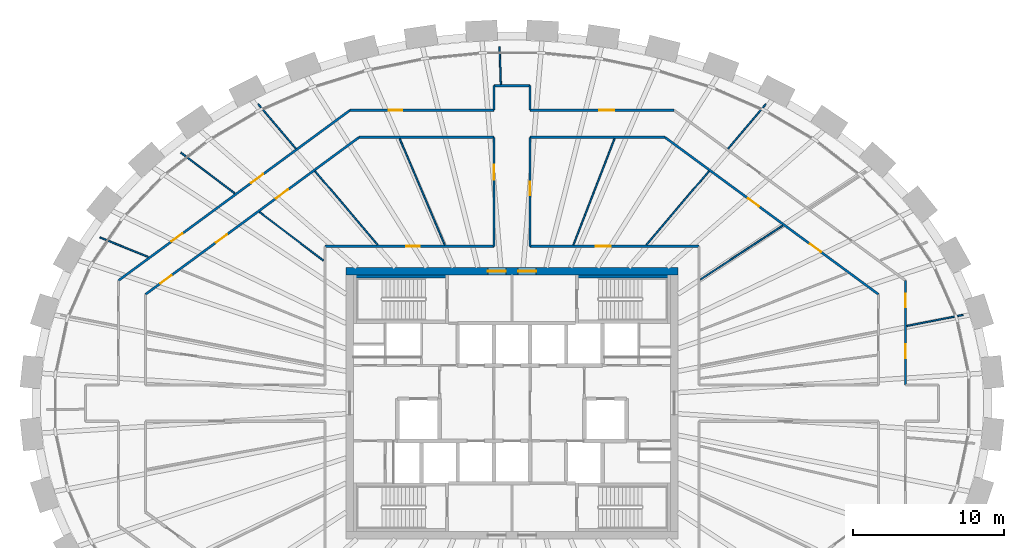
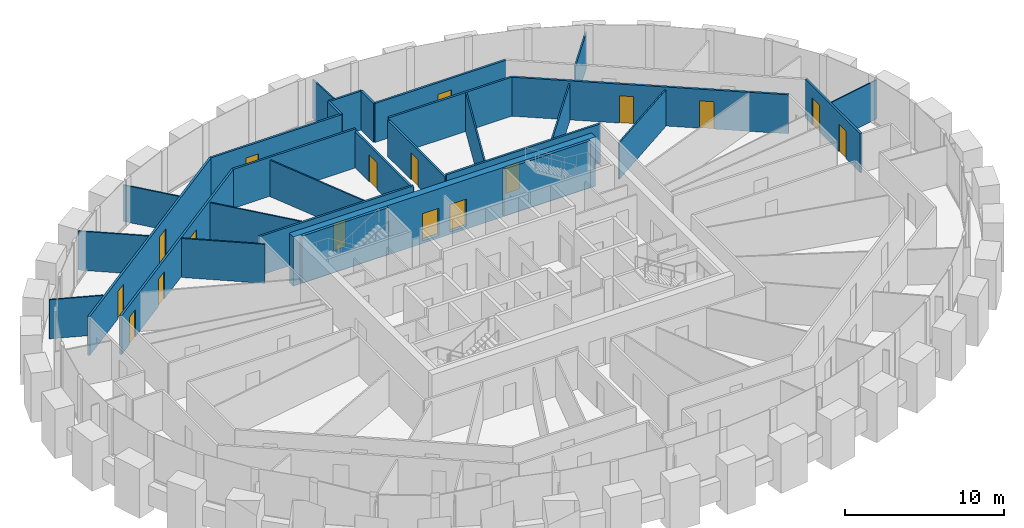
# One storey, part 10 of 12: 30 walls, 17 doors, 17 openings.
"""IFC4 building model written with IfcOpenShell, lengths in metres."""

from ifc_helpers import new_model, si_unit, direction, frame, frame_2d, origin, place, context, subcontext, project, spatial, rectangle, extrude, source, transform, mapped, material, layer, layer_set, type_object, element, fill, save


model = new_model("IFC4")

# Units and contexts
model_context = context("Model", 3, precision=1e-05, world=origin(), true_north=direction((0.0, 1.0)))
body_context = subcontext(model_context, "Body", "Model", "MODEL_VIEW")
ifc_project = project(units=[si_unit("LENGTHUNIT", "METRE"), si_unit("AREAUNIT", "SQUARE_METRE"), si_unit("VOLUMEUNIT", "CUBIC_METRE"), si_unit("PLANEANGLEUNIT", "RADIAN"), si_unit("MASSUNIT", "GRAM", prefix="KILO")], contexts=[model_context])

# Site, building, storey
site_placement = place(None, origin())
site = spatial("IfcSite", under=ifc_project, at=site_placement, CompositionType="ELEMENT")
building_placement = place(site_placement, origin())
building = spatial("IfcBuilding", under=site, at=building_placement, Name="Embergate Tower", CompositionType="ELEMENT")
storey_placement = place(building_placement, frame((0.0, 0.0, 285.10009765625)))
storey = spatial("IfcBuildingStorey", under=building, at=storey_placement, Name="L66", CompositionType="ELEMENT", Elevation=285.10009765625)

# Wall, openings, doors
ifc_material_1 = material(Name="Concrete C50", Category="concrete")
ifc_layer_1 = layer(ifc_material_1, 0.5)
ifc_layer_set_1 = layer_set([ifc_layer_1], Name="Concrete C50")
wall_type_1 = type_object("IfcWallType", Name="Core outer wall C50 500", PredefinedType="SHEAR", material=ifc_layer_set_1)
shared_shape_1 = source(origin(), body_context, "Body", "SweptSolid", [
    extrude(rectangle(XDim=22.0, YDim=0.5, at=frame_2d((11.0, 0.0))), origin(), (0.0, 0.0, 1.0), 3.800048828125),
])
wall_1_placement = place(storey_placement, frame((-11.0, 8.75, -0.2001953125), z_axis=(0.0, 0.0, 1.0), x_axis=(1.0, 0.0, 0.0)))
wall_1 = element("IfcWall", 1, at=wall_1_placement, inside=storey, type_object=wall_type_1, Name="CW-L66-N", PredefinedType="SHEAR", context=body_context, shape_type="MappedRepresentation", body=[
    mapped(shared_shape_1, transform((0.0, 0.0, 0.0))),
])
shared_shape_2 = source(origin(), body_context, "Body", "SweptSolid", [
    extrude(rectangle(XDim=1.199951171875, YDim=2.10009765625, at=frame_2d((0.60009765625, 1.050048828125))), frame((0.0, 0.260009765625, 0.0), z_axis=(0.0, -1.0, 0.0), x_axis=(1.0, 0.0, 0.0)), (0.0, 0.0, 1.0), 0.52001953125),
])
opening_1_placement = place(wall_1_placement, frame((9.39990234375, 0.0, 0.199951171875)))
opening_1 = element("IfcOpeningElement", 2, at=opening_1_placement, cuts=wall_1, Name="Opening IF-1", PredefinedType="OPENING", context=body_context, shape_type="MappedRepresentation", body=[
    mapped(shared_shape_2, transform((0.0, 0.0, 0.0))),
])
opening_2_placement = place(wall_1_placement, frame((11.39990234375, 0.0, 0.199951171875)))
opening_2 = element("IfcOpeningElement", 3, at=opening_2_placement, cuts=wall_1, Name="Opening IF-1", PredefinedType="OPENING", context=body_context, shape_type="MappedRepresentation", body=[
    mapped(shared_shape_2, transform((0.0, 0.0, 0.0))),
])
ifc_material_2 = material(Name="Escape fire door 1200")
door_type_1 = type_object("IfcDoorType", Name="Escape fire door 1200", OperationType="SINGLE_SWING_LEFT", PredefinedType="DOOR", material=ifc_material_2)
shared_shape_3 = source(origin(), body_context, "Body", "SweptSolid", [
    extrude(rectangle(XDim=1.199951171875, YDim=2.10009765625, at=frame_2d((0.60009765625, 1.050048828125))), frame((0.0, 0.02490234375, 0.0), z_axis=(0.0, -1.0, 0.0), x_axis=(1.0, 0.0, 0.0)), (0.0, 0.0, 1.0), 0.050048828125),
])
door_1_placement = place(opening_1_placement, origin())
door_1 = element("IfcDoor", 4, at=door_1_placement, inside=storey, type_object=door_type_1, Name="IF-1 door", OperationType="SINGLE_SWING_LEFT", OverallHeight=2.10009765625, OverallWidth=1.199951171875, PredefinedType="DOOR", context=body_context, shape_type="MappedRepresentation", body=[
    mapped(shared_shape_3, transform((0.0, 0.0, 0.0))),
])
fill(opening_1, door_1)
door_2_placement = place(opening_2_placement, origin())
door_2 = element("IfcDoor", 5, at=door_2_placement, inside=storey, type_object=door_type_1, Name="IF-1 door", OperationType="SINGLE_SWING_RIGHT", OverallHeight=2.10009765625, OverallWidth=1.199951171875, PredefinedType="DOOR", context=body_context, shape_type="MappedRepresentation", body=[
    mapped(shared_shape_3, transform((0.0, 0.0, 0.0))),
])
fill(opening_2, door_2)

# Wall
ifc_material_3 = material(Name="Corridor wall dry-lined 150")
ifc_layer_2 = layer(ifc_material_3, 0.14990234375)
ifc_layer_set_2 = layer_set([ifc_layer_2], Name="Corridor wall dry-lined 150")
wall_type_2 = type_object("IfcWallType", Name="Corridor wall dry-lined 150", PredefinedType="PARTITIONING", material=ifc_layer_set_2)
shared_shape_4 = source(origin(), body_context, "Body", "SweptSolid", [
    extrude(rectangle(XDim=2.39990234375, YDim=0.14990234375, at=frame_2d((1.199951171875, 0.0))), origin(), (0.0, 0.0, 1.0), 3.0),
])
wall_2_placement = place(storey_placement, frame((1.199951171875, 21.055908203125, 0.0), z_axis=(0.0, 0.0, 1.0), x_axis=(-1.0, 0.0, 0.0)))
element("IfcWall", 6, at=wall_2_placement, inside=storey, type_object=wall_type_2, Name="IP-2 wall", PredefinedType="PARTITIONING", context=body_context, shape_type="MappedRepresentation", body=[
    mapped(shared_shape_4, transform((0.0, 0.0, 0.0))),
])

# Wall, openings, doors
shared_shape_5 = source(origin(), body_context, "Body", "SweptSolid", [
    extrude(rectangle(XDim=19.072265625, YDim=0.14990234375, at=frame_2d((9.5361328125, 0.0))), origin(), (0.0, 0.0, 1.0), 3.0),
])
wall_3_placement = place(storey_placement, frame((-10.73193359375, 19.428955078125, 0.0), z_axis=(0.0, 0.0, 1.0), x_axis=(-0.805618847725, -0.592434192287, 0.0)))
wall_3 = element("IfcWall", 7, at=wall_3_placement, inside=storey, type_object=wall_type_2, Name="IP-2 wall", PredefinedType="PARTITIONING", context=body_context, shape_type="MappedRepresentation", body=[
    mapped(shared_shape_5, transform((0.0, 0.0, 0.0))),
])
shared_shape_6 = source(origin(), body_context, "Body", "SweptSolid", [
    extrude(rectangle(XDim=1.0, YDim=2.10009765625, at=frame_2d((0.5, 1.050048828125))), frame((0.0, 0.0849609375, 0.0), z_axis=(0.0, -1.0, 0.0), x_axis=(1.0, 0.0, 0.0)), (0.0, 0.0, 1.0), 0.169921875),
])
opening_3_placement = place(wall_3_placement, frame((7.153564453125, 0.0, 0.0)))
opening_3 = element("IfcOpeningElement", 8, at=opening_3_placement, cuts=wall_3, Name="Opening ID-2", PredefinedType="OPENING", context=body_context, shape_type="MappedRepresentation", body=[
    mapped(shared_shape_6, transform((0.0, 0.0, 0.0))),
])
shared_shape_7 = source(origin(), body_context, "Body", "SweptSolid", [
    extrude(rectangle(XDim=0.89990234375, YDim=2.10009765625, at=frame_2d((0.449951171875, 1.050048828125))), frame((0.0, 0.0849609375, 0.0), z_axis=(0.0, -1.0, 0.0), x_axis=(1.0, 0.0, 0.0)), (0.0, 0.0, 1.0), 0.169921875),
])
opening_4_placement = place(wall_3_placement, frame((13.7861328125, 0.0, 0.0)))
opening_4 = element("IfcOpeningElement", 9, at=opening_4_placement, cuts=wall_3, Name="Opening IF-1c", PredefinedType="OPENING", context=body_context, shape_type="MappedRepresentation", body=[
    mapped(shared_shape_7, transform((0.0, 0.0, 0.0))),
])
ifc_material_4 = material(Name="Escape fire door 900")
door_type_2 = type_object("IfcDoorType", Name="Escape fire door 900", OperationType="SINGLE_SWING_LEFT", PredefinedType="DOOR", material=ifc_material_4)
shared_shape_8 = source(origin(), body_context, "Body", "SweptSolid", [
    extrude(rectangle(XDim=0.89990234375, YDim=2.10009765625, at=frame_2d((0.449951171875, 1.050048828125))), frame((0.0, 0.02490234375, 0.0), z_axis=(0.0, -1.0, 0.0), x_axis=(1.0, 0.0, 0.0)), (0.0, 0.0, 1.0), 0.050048828125),
])
door_3_placement = place(opening_4_placement, origin())
door_3 = element("IfcDoor", 10, at=door_3_placement, inside=storey, type_object=door_type_2, Name="IF-1 door", OperationType="SINGLE_SWING_LEFT", OverallHeight=2.10009765625, OverallWidth=0.89990234375, PredefinedType="DOOR", context=body_context, shape_type="MappedRepresentation", body=[
    mapped(shared_shape_8, transform((0.0, 0.0, 0.0))),
])
fill(opening_4, door_3)
ifc_material_5 = material(Name="Interior door 1000")
door_type_3 = type_object("IfcDoorType", Name="Interior door 1000", OperationType="SINGLE_SWING_LEFT", PredefinedType="DOOR", material=ifc_material_5)
shared_shape_9 = source(origin(), body_context, "Body", "SweptSolid", [
    extrude(rectangle(XDim=1.0, YDim=2.10009765625, at=frame_2d((0.5, 1.050048828125))), frame((0.0, 0.02490234375, 0.0), z_axis=(0.0, -1.0, 0.0), x_axis=(1.0, 0.0, 0.0)), (0.0, 0.0, 1.0), 0.050048828125),
])
door_4_placement = place(opening_3_placement, origin())
door_4 = element("IfcDoor", 11, at=door_4_placement, inside=storey, type_object=door_type_3, Name="ID-2 door", OperationType="SINGLE_SWING_RIGHT", OverallHeight=2.10009765625, OverallWidth=1.0, PredefinedType="DOOR", context=body_context, shape_type="MappedRepresentation", body=[
    mapped(shared_shape_9, transform((0.0, 0.0, 0.0))),
])
fill(opening_3, door_4)

# Wall, opening, door
shared_shape_10 = source(origin(), body_context, "Body", "SweptSolid", [
    extrude(rectangle(XDim=9.531982421875, YDim=0.14990234375, at=frame_2d((4.76611328125, 0.0))), origin(), (0.0, 0.0, 1.0), 3.0),
])
wall_4_placement = place(storey_placement, frame((10.73193359375, 19.428955078125, 0.0), z_axis=(0.0, 0.0, 1.0), x_axis=(-1.0, 0.0, 0.0)))
wall_4 = element("IfcWall", 12, at=wall_4_placement, inside=storey, type_object=wall_type_2, Name="IP-2 wall", PredefinedType="PARTITIONING", context=body_context, shape_type="MappedRepresentation", body=[
    mapped(shared_shape_10, transform((0.0, 0.0, 0.0))),
])
opening_5_placement = place(wall_4_placement, frame((3.94921875, 0.0, 0.0)))
opening_5 = element("IfcOpeningElement", 13, at=opening_5_placement, cuts=wall_4, Name="Opening ID-2", PredefinedType="OPENING", context=body_context, shape_type="MappedRepresentation", body=[
    mapped(shared_shape_6, transform((0.0, 0.0, 0.0))),
])
door_5_placement = place(opening_5_placement, origin())
door_5 = element("IfcDoor", 14, at=door_5_placement, inside=storey, type_object=door_type_3, Name="ID-2 door", OperationType="SINGLE_SWING_LEFT", OverallHeight=2.10009765625, OverallWidth=1.0, PredefinedType="DOOR", context=body_context, shape_type="MappedRepresentation", body=[
    mapped(shared_shape_9, transform((0.0, 0.0, 0.0))),
])
fill(opening_5, door_5)

wall_5_placement = place(storey_placement, frame((-1.199951171875, 19.428955078125, 0.0), z_axis=(0.0, 0.0, 1.0), x_axis=(-1.0, 0.0, 0.0)))
wall_5 = element("IfcWall", 15, at=wall_5_placement, inside=storey, type_object=wall_type_2, Name="IP-2 wall", PredefinedType="PARTITIONING", context=body_context, shape_type="MappedRepresentation", body=[
    mapped(shared_shape_10, transform((0.0, 0.0, 0.0))),
])
opening_6_placement = place(wall_5_placement, frame((6.0830078125, 0.0, 0.0)))
opening_6 = element("IfcOpeningElement", 16, at=opening_6_placement, cuts=wall_5, Name="Opening IF-1c", PredefinedType="OPENING", context=body_context, shape_type="MappedRepresentation", body=[
    mapped(shared_shape_7, transform((0.0, 0.0, 0.0))),
])
door_6_placement = place(opening_6_placement, origin())
door_6 = element("IfcDoor", 17, at=door_6_placement, inside=storey, type_object=door_type_2, Name="IF-1 door", OperationType="SINGLE_SWING_LEFT", OverallHeight=2.10009765625, OverallWidth=0.89990234375, PredefinedType="DOOR", context=body_context, shape_type="MappedRepresentation", body=[
    mapped(shared_shape_8, transform((0.0, 0.0, 0.0))),
])
fill(opening_6, door_6)

# Wall, openings, doors
ifc_material_6 = material(Name="Corridor wall dry-lined 150 wet")
ifc_layer_3 = layer(ifc_material_6, 0.14990234375)
ifc_layer_set_3 = layer_set([ifc_layer_3], Name="Corridor wall dry-lined 150 wet")
wall_type_3 = type_object("IfcWallType", Name="Corridor wall dry-lined 150 wet", PredefinedType="PLUMBINGWALL", material=ifc_layer_set_3)
shared_shape_11 = source(origin(), body_context, "Body", "SweptSolid", [
    extrude(rectangle(XDim=17.570068359375, YDim=0.14990234375, at=frame_2d((8.78515625, 0.0))), origin(), (0.0, 0.0, 1.0), 3.0),
])
wall_6_placement = place(storey_placement, frame((10.14208984375, 17.62890625, 0.0), z_axis=(0.0, 0.0, 1.0), x_axis=(0.805628581617, -0.592420955471, 0.0)))
wall_6 = element("IfcWall", 18, at=wall_6_placement, inside=storey, type_object=wall_type_3, Name="IP-2 wall", PredefinedType="PLUMBINGWALL", context=body_context, shape_type="MappedRepresentation", body=[
    mapped(shared_shape_11, transform((0.0, 0.0, 0.0))),
])
opening_7_placement = place(wall_6_placement, frame((11.933349609375, 0.0, 0.0)))
opening_7 = element("IfcOpeningElement", 19, at=opening_7_placement, cuts=wall_6, Name="Opening IF-1c", PredefinedType="OPENING", context=body_context, shape_type="MappedRepresentation", body=[
    mapped(shared_shape_7, transform((0.0, 0.0, 0.0))),
])
opening_8_placement = place(wall_6_placement, frame((6.839111328125, 0.0, 0.0)))
opening_8 = element("IfcOpeningElement", 20, at=opening_8_placement, cuts=wall_6, Name="Opening IF-1c", PredefinedType="OPENING", context=body_context, shape_type="MappedRepresentation", body=[
    mapped(shared_shape_7, transform((0.0, 0.0, 0.0))),
])
door_7_placement = place(opening_7_placement, origin())
door_7 = element("IfcDoor", 21, at=door_7_placement, inside=storey, type_object=door_type_2, Name="IF-1 door", OperationType="SINGLE_SWING_RIGHT", OverallHeight=2.10009765625, OverallWidth=0.89990234375, PredefinedType="DOOR", context=body_context, shape_type="MappedRepresentation", body=[
    mapped(shared_shape_8, transform((0.0, 0.0, 0.0))),
])
fill(opening_7, door_7)
door_8_placement = place(opening_8_placement, origin())
door_8 = element("IfcDoor", 22, at=door_8_placement, inside=storey, type_object=door_type_2, Name="IF-1 door", OperationType="SINGLE_SWING_LEFT", OverallHeight=2.10009765625, OverallWidth=0.89990234375, PredefinedType="DOOR", context=body_context, shape_type="MappedRepresentation", body=[
    mapped(shared_shape_8, transform((0.0, 0.0, 0.0))),
])
fill(opening_8, door_8)

wall_7_placement = place(storey_placement, frame((-24.297119140625, 7.219970703125, 0.0), z_axis=(0.0, 0.0, 1.0), x_axis=(0.805628581617, 0.592420955471, 0.0)))
wall_7 = element("IfcWall", 23, at=wall_7_placement, inside=storey, type_object=wall_type_2, Name="IP-2 wall", PredefinedType="PARTITIONING", context=body_context, shape_type="MappedRepresentation", body=[
    mapped(shared_shape_11, transform((0.0, 0.0, 0.0))),
])
opening_9_placement = place(wall_7_placement, frame((10.72998046875, 0.0, 0.0)))
opening_9 = element("IfcOpeningElement", 24, at=opening_9_placement, cuts=wall_7, Name="Opening ID-2", PredefinedType="OPENING", context=body_context, shape_type="MappedRepresentation", body=[
    mapped(shared_shape_6, transform((0.0, 0.0, 0.0))),
])
opening_10_placement = place(wall_7_placement, frame((5.787353515625, 0.0, 0.0)))
opening_10 = element("IfcOpeningElement", 25, at=opening_10_placement, cuts=wall_7, Name="Opening IF-1c", PredefinedType="OPENING", context=body_context, shape_type="MappedRepresentation", body=[
    mapped(shared_shape_7, transform((0.0, 0.0, 0.0))),
])
opening_11_placement = place(wall_7_placement, frame((1.226806640625, 0.0, 0.0)))
opening_11 = element("IfcOpeningElement", 26, at=opening_11_placement, cuts=wall_7, Name="Opening IF-1c", PredefinedType="OPENING", context=body_context, shape_type="MappedRepresentation", body=[
    mapped(shared_shape_7, transform((0.0, 0.0, 0.0))),
])
door_9_placement = place(opening_10_placement, origin())
door_9 = element("IfcDoor", 27, at=door_9_placement, inside=storey, type_object=door_type_2, Name="IF-1 door", OperationType="SINGLE_SWING_RIGHT", OverallHeight=2.10009765625, OverallWidth=0.89990234375, PredefinedType="DOOR", context=body_context, shape_type="MappedRepresentation", body=[
    mapped(shared_shape_8, transform((0.0, 0.0, 0.0))),
])
fill(opening_10, door_9)
door_10_placement = place(opening_11_placement, origin())
door_10 = element("IfcDoor", 28, at=door_10_placement, inside=storey, type_object=door_type_2, Name="IF-1 door", OperationType="SINGLE_SWING_RIGHT", OverallHeight=2.10009765625, OverallWidth=0.89990234375, PredefinedType="DOOR", context=body_context, shape_type="MappedRepresentation", body=[
    mapped(shared_shape_8, transform((0.0, 0.0, 0.0))),
])
fill(opening_11, door_10)
door_11_placement = place(opening_9_placement, origin())
door_11 = element("IfcDoor", 29, at=door_11_placement, inside=storey, type_object=door_type_3, Name="ID-2 door", OperationType="SINGLE_SWING_RIGHT", OverallHeight=2.10009765625, OverallWidth=1.0, PredefinedType="DOOR", context=body_context, shape_type="MappedRepresentation", body=[
    mapped(shared_shape_9, transform((0.0, 0.0, 0.0))),
])
fill(opening_9, door_11)

# Wall, opening, door
shared_shape_12 = source(origin(), body_context, "Body", "SweptSolid", [
    extrude(rectangle(XDim=11.199951171875, YDim=0.14990234375, at=frame_2d((5.60009765625, 0.0))), origin(), (0.0, 0.0, 1.0), 3.0),
])
wall_8_placement = place(storey_placement, frame((12.39990234375, 10.39990234375, 0.0), z_axis=(0.0, 0.0, 1.0), x_axis=(-1.0, 0.0, 0.0)))
wall_8 = element("IfcWall", 30, at=wall_8_placement, inside=storey, type_object=wall_type_3, Name="IP-2 wall", PredefinedType="PLUMBINGWALL", context=body_context, shape_type="MappedRepresentation", body=[
    mapped(shared_shape_12, transform((0.0, 0.0, 0.0))),
])
opening_12_placement = place(wall_8_placement, frame((5.85400390625, 0.0, 0.0)))
opening_12 = element("IfcOpeningElement", 31, at=opening_12_placement, cuts=wall_8, Name="Opening ID-2", PredefinedType="OPENING", context=body_context, shape_type="MappedRepresentation", body=[
    mapped(shared_shape_6, transform((0.0, 0.0, 0.0))),
])
door_12_placement = place(opening_12_placement, origin())
door_12 = element("IfcDoor", 32, at=door_12_placement, inside=storey, type_object=door_type_3, Name="ID-2 door", OperationType="SINGLE_SWING_RIGHT", OverallHeight=2.10009765625, OverallWidth=1.0, PredefinedType="DOOR", context=body_context, shape_type="MappedRepresentation", body=[
    mapped(shared_shape_9, transform((0.0, 0.0, 0.0))),
])
fill(opening_12, door_12)

wall_9_placement = place(storey_placement, frame((-12.39990234375, 10.39990234375, 0.0), z_axis=(0.0, 0.0, 1.0), x_axis=(1.0, 0.0, 0.0)))
wall_9 = element("IfcWall", 33, at=wall_9_placement, inside=storey, type_object=wall_type_2, Name="IP-2 wall", PredefinedType="PARTITIONING", context=body_context, shape_type="MappedRepresentation", body=[
    mapped(shared_shape_12, transform((0.0, 0.0, 0.0))),
])
opening_13_placement = place(wall_9_placement, frame((5.386962890625, 0.0, 0.0)))
opening_13 = element("IfcOpeningElement", 34, at=opening_13_placement, cuts=wall_9, Name="Opening IF-1c", PredefinedType="OPENING", context=body_context, shape_type="MappedRepresentation", body=[
    mapped(shared_shape_7, transform((0.0, 0.0, 0.0))),
])
door_13_placement = place(opening_13_placement, origin())
door_13 = element("IfcDoor", 35, at=door_13_placement, inside=storey, type_object=door_type_2, Name="IF-1 door", OperationType="SINGLE_SWING_RIGHT", OverallHeight=2.10009765625, OverallWidth=0.89990234375, PredefinedType="DOOR", context=body_context, shape_type="MappedRepresentation", body=[
    mapped(shared_shape_8, transform((0.0, 0.0, 0.0))),
])
fill(opening_13, door_13)

# Walls
shared_shape_13 = source(origin(), body_context, "Body", "SweptSolid", [
    extrude(rectangle(XDim=8.942138671875, YDim=0.14990234375, at=frame_2d((4.47119140625, 0.0))), origin(), (0.0, 0.0, 1.0), 3.0),
])
for number, where, z_axis, x_axis, name in (
    (36, (-1.199951171875, 17.62890625, 0.0), (0.0, 0.0, 1.0), (-1.0, 0.0, 0.0), "IP-2 wall"),
    (37, (1.199951171875, 17.62890625, 0.0), (0.0, 0.0, 1.0), (1.0, 0.0, 0.0), "IP-2 wall"),
):
    element("IfcWall", number, at=place(storey_placement, frame(where, z_axis=z_axis, x_axis=x_axis)), inside=storey, type_object=wall_type_2, Name=name, PredefinedType="PARTITIONING", context=body_context, shape_type="MappedRepresentation", body=[
        mapped(shared_shape_13, transform((0.0, 0.0, 0.0))),
    ])
shared_shape_14 = source(origin(), body_context, "Body", "SweptSolid", [
    extrude(rectangle(XDim=1.626953125, YDim=0.14990234375, at=frame_2d((0.8134765625, 0.0))), origin(), (0.0, 0.0, 1.0), 3.0),
])
for number, where, z_axis, x_axis, name in (
    (38, (1.199951171875, 19.428955078125, 0.0), (0.0, 0.0, 1.0), (0.0, 1.0, 0.0), "IP-2 wall"),
    (39, (-1.199951171875, 21.055908203125, 0.0), (0.0, 0.0, 1.0), (0.0, -1.0, 0.0), "IP-2 wall"),
):
    element("IfcWall", number, at=place(storey_placement, frame(where, z_axis=z_axis, x_axis=x_axis)), inside=storey, type_object=wall_type_2, Name=name, PredefinedType="PARTITIONING", context=body_context, shape_type="MappedRepresentation", body=[
        mapped(shared_shape_14, transform((0.0, 0.0, 0.0))),
    ])

# Wall, opening, door
shared_shape_15 = source(origin(), body_context, "Body", "SweptSolid", [
    extrude(rectangle(XDim=7.22900390625, YDim=0.14990234375, at=frame_2d((3.614501953125, 0.0))), origin(), (0.0, 0.0, 1.0), 2.7998046875),
])
wall_10_placement = place(storey_placement, frame((-1.199951171875, 10.39990234375, 0.0), z_axis=(0.0, 0.0, 1.0), x_axis=(0.0, 1.0, 0.0)))
wall_10 = element("IfcWall", 40, at=wall_10_placement, inside=storey, type_object=wall_type_2, Name="IP-2 wall", PredefinedType="PARTITIONING", context=body_context, shape_type="MappedRepresentation", body=[
    mapped(shared_shape_15, transform((0.0, 0.0, 0.0))),
])
opening_14_placement = place(wall_10_placement, frame((4.408935546875, 0.0, 0.0)))
opening_14 = element("IfcOpeningElement", 41, at=opening_14_placement, cuts=wall_10, Name="Opening ID-2", PredefinedType="OPENING", context=body_context, shape_type="MappedRepresentation", body=[
    mapped(shared_shape_6, transform((0.0, 0.0, 0.0))),
])
door_14_placement = place(opening_14_placement, origin())
door_14 = element("IfcDoor", 42, at=door_14_placement, inside=storey, type_object=door_type_3, Name="ID-2 door", OperationType="SINGLE_SWING_LEFT", OverallHeight=2.10009765625, OverallWidth=1.0, PredefinedType="DOOR", context=body_context, shape_type="MappedRepresentation", body=[
    mapped(shared_shape_9, transform((0.0, 0.0, 0.0))),
])
fill(opening_14, door_14)

wall_11_placement = place(storey_placement, frame((1.199951171875, 17.62890625, 0.0), z_axis=(0.0, 0.0, 1.0), x_axis=(0.0, -1.0, 0.0)))
wall_11 = element("IfcWall", 43, at=wall_11_placement, inside=storey, type_object=wall_type_2, Name="IP-2 wall", PredefinedType="PARTITIONING", context=body_context, shape_type="MappedRepresentation", body=[
    mapped(shared_shape_15, transform((0.0, 0.0, 0.0))),
])
opening_15_placement = place(wall_11_placement, frame((2.935302734375, 0.0, 0.0)))
opening_15 = element("IfcOpeningElement", 44, at=opening_15_placement, cuts=wall_11, Name="Opening IF-1c", PredefinedType="OPENING", context=body_context, shape_type="MappedRepresentation", body=[
    mapped(shared_shape_7, transform((0.0, 0.0, 0.0))),
])
door_15_placement = place(opening_15_placement, origin())
door_15 = element("IfcDoor", 45, at=door_15_placement, inside=storey, type_object=door_type_2, Name="IF-1 door", OperationType="SINGLE_SWING_RIGHT", OverallHeight=2.10009765625, OverallWidth=0.89990234375, PredefinedType="DOOR", context=body_context, shape_type="MappedRepresentation", body=[
    mapped(shared_shape_8, transform((0.0, 0.0, 0.0))),
])
fill(opening_15, door_15)

# Wall, openings, doors
shared_shape_16 = source(origin(), body_context, "Body", "SweptSolid", [
    extrude(rectangle(XDim=6.929931640625, YDim=0.14990234375, at=frame_2d((3.46484375, 0.0))), origin(), (0.0, 0.0, 1.0), 3.0),
])
wall_12_placement = place(storey_placement, frame((26.096923828125, 1.199951171875, 0.0), z_axis=(0.0, 0.0, 1.0), x_axis=(0.0, 1.0, 0.0)))
wall_12 = element("IfcWall", 46, at=wall_12_placement, inside=storey, type_object=wall_type_2, Name="IP-2 wall", PredefinedType="PARTITIONING", context=body_context, shape_type="MappedRepresentation", body=[
    mapped(shared_shape_16, transform((0.0, 0.0, 0.0))),
])
opening_16_placement = place(wall_12_placement, frame((1.7939453125, 0.0, 0.0)))
opening_16 = element("IfcOpeningElement", 47, at=opening_16_placement, cuts=wall_12, Name="Opening IF-1c", PredefinedType="OPENING", context=body_context, shape_type="MappedRepresentation", body=[
    mapped(shared_shape_7, transform((0.0, 0.0, 0.0))),
])
opening_17_placement = place(wall_12_placement, frame((5.14990234375, 0.0, 0.0)))
opening_17 = element("IfcOpeningElement", 48, at=opening_17_placement, cuts=wall_12, Name="Opening IF-1c", PredefinedType="OPENING", context=body_context, shape_type="MappedRepresentation", body=[
    mapped(shared_shape_7, transform((0.0, 0.0, 0.0))),
])
door_16_placement = place(opening_16_placement, origin())
door_16 = element("IfcDoor", 49, at=door_16_placement, inside=storey, type_object=door_type_2, Name="IF-1 door", OperationType="SINGLE_SWING_RIGHT", OverallHeight=2.10009765625, OverallWidth=0.89990234375, PredefinedType="DOOR", context=body_context, shape_type="MappedRepresentation", body=[
    mapped(shared_shape_8, transform((0.0, 0.0, 0.0))),
])
fill(opening_16, door_16)
door_17_placement = place(opening_17_placement, origin())
door_17 = element("IfcDoor", 50, at=door_17_placement, inside=storey, type_object=door_type_2, Name="IF-1 door", OperationType="SINGLE_SWING_LEFT", OverallHeight=2.10009765625, OverallWidth=0.89990234375, PredefinedType="DOOR", context=body_context, shape_type="MappedRepresentation", body=[
    mapped(shared_shape_8, transform((0.0, 0.0, 0.0))),
])
fill(opening_17, door_17)

# Walls
ifc_material_7 = material(Name="Partition dry-lined 100 wet")
ifc_layer_4 = layer(ifc_material_7, 0.10009765625)
ifc_layer_set_4 = layer_set([ifc_layer_4], Name="Partition dry-lined 100 wet")
wall_type_4 = type_object("IfcWallType", Name="Partition dry-lined 100 wet", PredefinedType="PLUMBINGWALL", material=ifc_layer_set_4)
shared_shape_17 = source(origin(), body_context, "Body", "SweptSolid", [
    extrude(rectangle(XDim=3.796630859375, YDim=0.10009765625, at=frame_2d((1.8984375, 0.0))), origin(), (0.0, 0.0, 1.0), 3.0),
])
wall_13_placement = place(storey_placement, frame((26.181884765625, 5.123046875, 0.0), z_axis=(0.0, 0.0, 1.0), x_axis=(0.981393181691, 0.192008913676, 0.0)))
element("IfcWall", 51, at=wall_13_placement, inside=storey, type_object=wall_type_4, Name="IP-1 wall", PredefinedType="PLUMBINGWALL", context=body_context, shape_type="MappedRepresentation", body=[
    mapped(shared_shape_17, transform((0.0, 0.0, 0.0))),
])
shared_shape_18 = source(origin(), body_context, "Body", "SweptSolid", [
    extrude(rectangle(XDim=3.864990234375, YDim=0.10009765625, at=frame_2d((1.9326171875, 0.0))), origin(), (0.0, 0.0, 1.0), 2.7998046875),
])
wall_14_placement = place(storey_placement, frame((14.323974609375, 16.881103515625, 0.0), z_axis=(0.0, 0.0, 1.0), x_axis=(0.647079831122, 0.762422253187, 0.0)))
element("IfcWall", 52, at=wall_14_placement, inside=storey, type_object=wall_type_4, Name="IP-1 wall", PredefinedType="PLUMBINGWALL", context=body_context, shape_type="MappedRepresentation", body=[
    mapped(shared_shape_18, transform((0.0, 0.0, 0.0))),
])
ifc_material_8 = material(Name="Partition dry-lined 100")
ifc_layer_5 = layer(ifc_material_8, 0.10009765625)
ifc_layer_set_5 = layer_set([ifc_layer_5], Name="Partition dry-lined 100")
wall_type_5 = type_object("IfcWallType", Name="Partition dry-lined 100", PredefinedType="PARTITIONING", material=ifc_layer_set_5)
wall_15_placement = place(storey_placement, frame((-14.323974609375, 16.881103515625, 0.0), z_axis=(0.0, 0.0, 1.0), x_axis=(-0.647079831122, 0.762422253187, 0.0)))
element("IfcWall", 53, at=wall_15_placement, inside=storey, type_object=wall_type_5, Name="IP-1 wall", PredefinedType="PARTITIONING", context=body_context, shape_type="MappedRepresentation", body=[
    mapped(shared_shape_18, transform((0.0, 0.0, 0.0))),
])
shared_shape_19 = source(origin(), body_context, "Body", "SweptSolid", [
    extrude(rectangle(XDim=6.510498046875, YDim=0.10009765625, at=frame_2d((3.25537109375, 0.0))), origin(), (0.0, 0.0, 1.0), 2.7998046875),
])
wall_16_placement = place(storey_placement, frame((12.501953125, 8.2041015625, 0.0), z_axis=(0.0, 0.0, 1.0), x_axis=(0.836066724434, 0.548627772077, 0.0)))
element("IfcWall", 54, at=wall_16_placement, inside=storey, type_object=wall_type_4, Name="IP-1 wall", PredefinedType="PLUMBINGWALL", context=body_context, shape_type="MappedRepresentation", body=[
    mapped(shared_shape_19, transform((0.0, 0.0, 0.0))),
])
shared_shape_20 = source(origin(), body_context, "Body", "SweptSolid", [
    extrude(rectangle(XDim=6.4052734375, YDim=0.10009765625, at=frame_2d((3.20263671875, 0.0))), origin(), (0.0, 0.0, 1.0), 2.7998046875),
])
wall_17_placement = place(storey_placement, frame((8.916015625, 10.507080078125, 0.0), z_axis=(0.0, 0.0, 1.0), x_axis=(0.646978791305, 0.762507995762, 0.0)))
element("IfcWall", 55, at=wall_17_placement, inside=storey, type_object=wall_type_4, Name="IP-1 wall", PredefinedType="PLUMBINGWALL", context=body_context, shape_type="MappedRepresentation", body=[
    mapped(shared_shape_20, transform((0.0, 0.0, 0.0))),
])
wall_18_placement = place(storey_placement, frame((-8.916015625, 10.507080078125, 0.0), z_axis=(0.0, 0.0, 1.0), x_axis=(-0.646978791305, 0.762507995762, 0.0)))
element("IfcWall", 56, at=wall_18_placement, inside=storey, type_object=wall_type_5, Name="IP-1 wall", PredefinedType="PARTITIONING", context=body_context, shape_type="MappedRepresentation", body=[
    mapped(shared_shape_20, transform((0.0, 0.0, 0.0))),
])
shared_shape_21 = source(origin(), body_context, "Body", "SweptSolid", [
    extrude(rectangle(XDim=2.515380859375, YDim=0.10009765625, at=frame_2d((1.2578125, 0.0))), origin(), (0.0, 0.0, 1.0), 3.0),
])
wall_19_placement = place(storey_placement, frame((-0.739013671875, 21.131103515625, 0.0), z_axis=(0.0, 0.0, 1.0), x_axis=(-0.034552532421, 0.999402882977, 0.0)))
element("IfcWall", 57, at=wall_19_placement, inside=storey, type_object=wall_type_5, Name="IP-1 wall", PredefinedType="PARTITIONING", context=body_context, shape_type="MappedRepresentation", body=[
    mapped(shared_shape_21, transform((0.0, 0.0, 0.0))),
])
shared_shape_22 = source(origin(), body_context, "Body", "SweptSolid", [
    extrude(rectangle(XDim=7.64794921875, YDim=0.10009765625, at=frame_2d((3.823974609375, 0.0))), origin(), (0.0, 0.0, 1.0), 2.7998046875),
])
wall_20_placement = place(storey_placement, frame((-4.45703125, 10.4951171875, 0.0), z_axis=(0.0, 0.0, 1.0), x_axis=(-0.390819538902, 0.920467320448, 0.0)))
element("IfcWall", 58, at=wall_20_placement, inside=storey, type_object=wall_type_5, Name="IP-1 wall", PredefinedType="PARTITIONING", context=body_context, shape_type="MappedRepresentation", body=[
    mapped(shared_shape_22, transform((0.0, 0.0, 0.0))),
])
shared_shape_23 = source(origin(), body_context, "Body", "SweptSolid", [
    extrude(rectangle(XDim=7.55419921875, YDim=0.10009765625, at=frame_2d((3.777099609375, 0.0))), origin(), (0.0, 0.0, 1.0), 3.0),
])
wall_21_placement = place(storey_placement, frame((4.070068359375, 10.492919921875, 0.0), z_axis=(0.0, 0.0, 1.0), x_axis=(0.361641375272, 0.932317282738, 0.0)))
element("IfcWall", 59, at=wall_21_placement, inside=storey, type_object=wall_type_5, Name="IP-1 wall", PredefinedType="PARTITIONING", context=body_context, shape_type="MappedRepresentation", body=[
    mapped(shared_shape_23, transform((0.0, 0.0, 0.0))),
])
shared_shape_24 = source(origin(), body_context, "Body", "SweptSolid", [
    extrude(rectangle(XDim=4.4794921875, YDim=0.10009765625, at=frame_2d((2.23974609375, 0.0))), origin(), (0.0, 0.0, 1.0), 3.0),
])
wall_22_placement = place(storey_placement, frame((-18.384033203125, 13.9140625, 0.0), z_axis=(0.0, 0.0, 1.0), x_axis=(-0.797435446268, 0.603404266669, 0.0)))
element("IfcWall", 60, at=wall_22_placement, inside=storey, type_object=wall_type_5, Name="IP-1 wall", PredefinedType="PARTITIONING", context=body_context, shape_type="MappedRepresentation", body=[
    mapped(shared_shape_24, transform((0.0, 0.0, 0.0))),
])
shared_shape_25 = source(origin(), body_context, "Body", "SweptSolid", [
    extrude(rectangle(XDim=3.44482421875, YDim=0.10009765625, at=frame_2d((1.722412109375, 0.0))), origin(), (0.0, 0.0, 1.0), 3.0),
])
wall_23_placement = place(storey_placement, frame((-24.1298828125, 9.702880859375, 0.0), z_axis=(0.0, 0.0, 1.0), x_axis=(-0.92780064252, 0.373076356445, 0.0)))
element("IfcWall", 61, at=wall_23_placement, inside=storey, type_object=wall_type_5, Name="IP-1 wall", PredefinedType="PARTITIONING", context=body_context, shape_type="MappedRepresentation", body=[
    mapped(shared_shape_25, transform((0.0, 0.0, 0.0))),
])
shared_shape_26 = source(origin(), body_context, "Body", "SweptSolid", [
    extrude(rectangle(XDim=5.308837890625, YDim=0.10009765625, at=frame_2d((2.654296875, 0.0))), origin(), (0.0, 0.0, 1.0), 3.0),
])
wall_24_placement = place(storey_placement, frame((-12.5048828125, 9.464111328125, 0.0), z_axis=(0.0, 0.0, 1.0), x_axis=(-0.797371098237, 0.603489297085, 0.0)))
element("IfcWall", 62, at=wall_24_placement, inside=storey, type_object=wall_type_5, Name="IP-1 wall", PredefinedType="PARTITIONING", context=body_context, shape_type="MappedRepresentation", body=[
    mapped(shared_shape_26, transform((0.0, 0.0, 0.0))),
])
ifc_layer_6 = layer(ifc_material_1, 0.199951171875)
ifc_layer_set_6 = layer_set([ifc_layer_6], Name="Concrete C50")
wall_type_6 = type_object("IfcWallType", Name="Stair enclosure wall reinforced concrete 250", PredefinedType="SHEAR", material=ifc_layer_set_6)
shared_shape_27 = source(origin(), body_context, "Body", "SweptSolid", [
    extrude(rectangle(XDim=6.298095703125, YDim=0.199951171875, at=frame_2d((3.14892578125, 0.0))), origin(), (0.0, 0.0, 1.0), 3.599853515625),
])
for number, where, z_axis, x_axis, name in (
    (63, (-4.201904296875, 8.39990234375, 0.0), (0.0, 0.0, 1.0), (-1.0, 0.0, 0.0), "SE-1 wall"),
    (64, (10.5, 8.39990234375, 0.0), (0.0, 0.0, 1.0), (-1.0, 0.0, 0.0), "SE-1 wall"),
):
    element("IfcWall", number, at=place(storey_placement, frame(where, z_axis=z_axis, x_axis=x_axis)), inside=storey, type_object=wall_type_6, Name=name, PredefinedType="SHEAR", context=body_context, shape_type="MappedRepresentation", body=[
        mapped(shared_shape_27, transform((0.0, 0.0, 0.0))),
    ])

save(model, "model.ifc")
